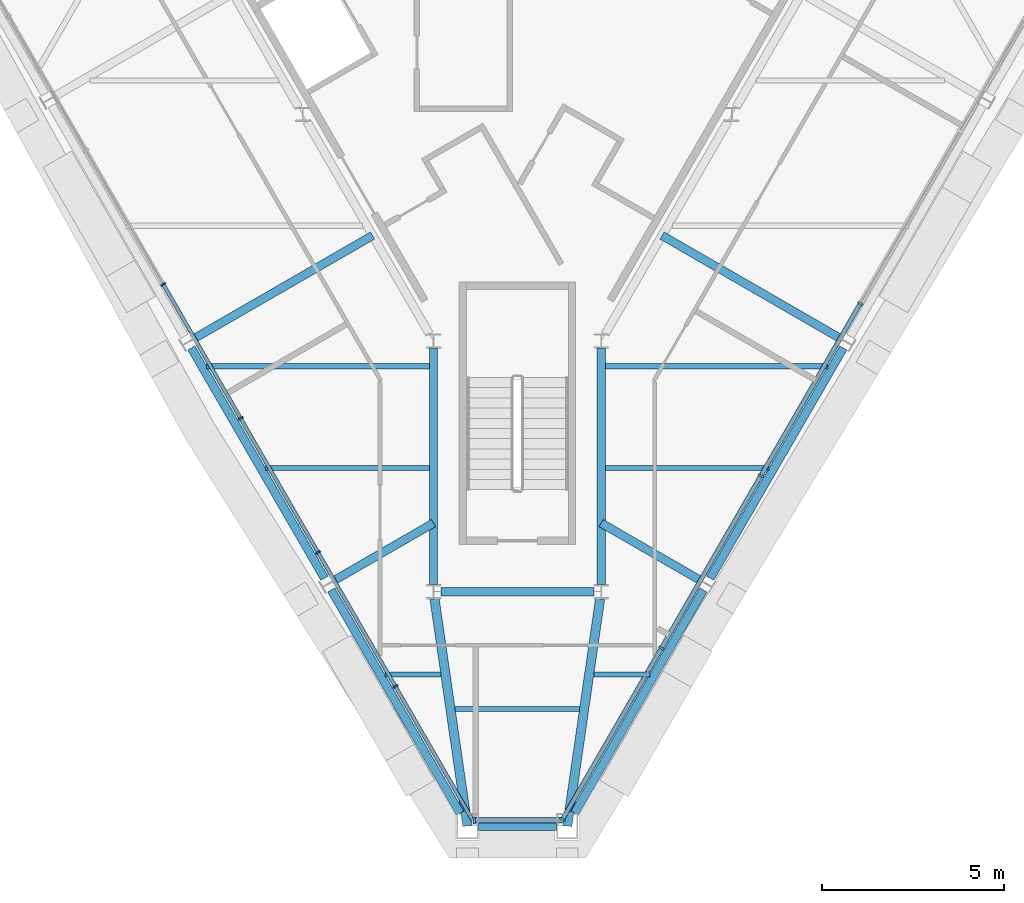
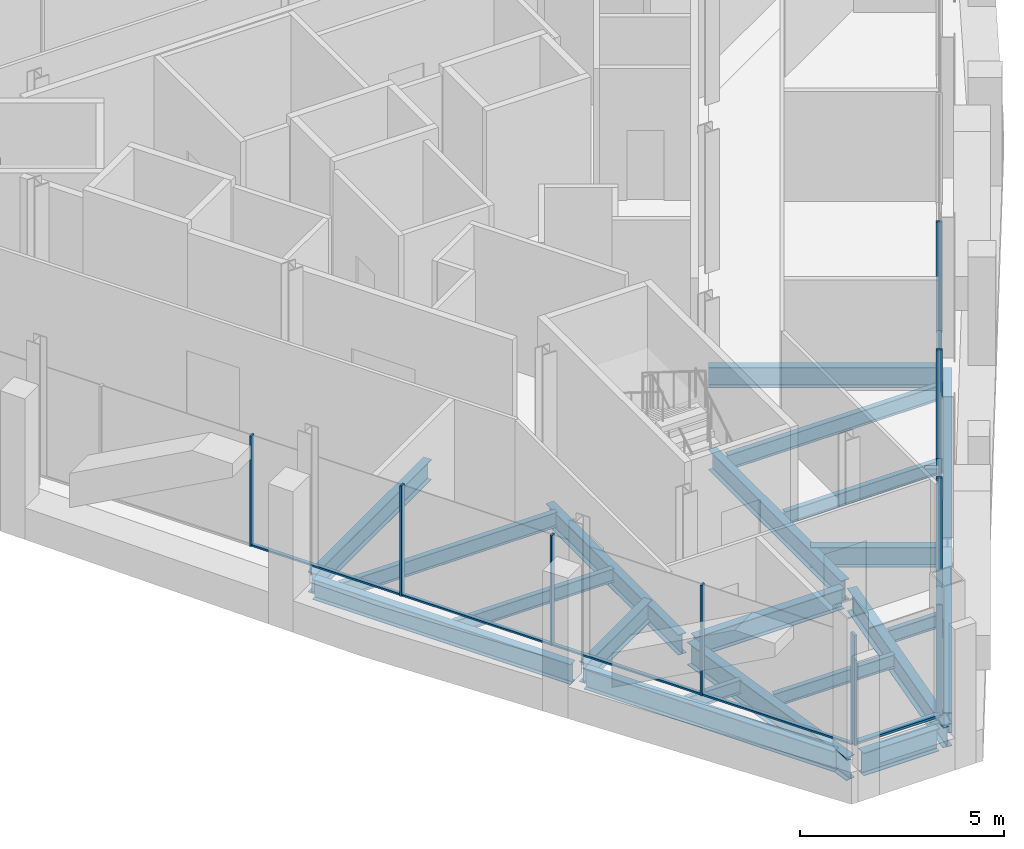
# One storey, part 3 of 13: 21 beams, 17 members, 3 elements without a shape of their own.
"""IFC4 building model written with IfcOpenShell, lengths in metres."""

from ifc_helpers import new_model, si_unit, direction, frame, origin, origin_2d, place, context, subcontext, project, spatial, rectangle, i_section, extrude, material, material_profile, profile_set, type_object, element, aggregate, save


model = new_model("IFC4")

# Units and contexts
model_context = context("Model", 3, precision=1e-05, world=origin(), true_north=direction((0.0, 1.0)))
body_context = subcontext(model_context, "Body", "Model", "MODEL_VIEW")
ifc_project = project(units=[si_unit("LENGTHUNIT", "METRE"), si_unit("AREAUNIT", "SQUARE_METRE"), si_unit("VOLUMEUNIT", "CUBIC_METRE"), si_unit("PLANEANGLEUNIT", "RADIAN"), si_unit("MASSUNIT", "GRAM", prefix="KILO")], contexts=[model_context])

# Site, building, storey
site_placement = place(None, origin())
site = spatial("IfcSite", under=ifc_project, at=site_placement, CompositionType="ELEMENT")
building_placement = place(site_placement, origin())
building = spatial("IfcBuilding", under=site, at=building_placement, Name="Verrane Prism Tower", CompositionType="ELEMENT")
storey_placement = place(building_placement, frame((0.0, 0.0, 321.0)))
storey = spatial("IfcBuildingStorey", under=building, at=storey_placement, Name="L81", CompositionType="ELEMENT", Elevation=321.0)

# Beams
ifc_material_1 = material(Name="Steel A992", Category="steel")
ifc_material_profile_1 = material_profile(ifc_material_1, i_section(OverallWidth=0.25390625, OverallDepth=0.683349609375, WebThickness=0.012451171875, FlangeThickness=0.01904296875, FilletRadius=0.01513671875, at=origin_2d()), Name="W27x94")
ifc_profile_set_1 = profile_set([ifc_material_profile_1], Name="Steel A992")
beam_type_1 = type_object("IfcBeamType", Name="Chamfer spandrel beam W27x94", PredefinedType="SPANDREL", material=ifc_profile_set_1)
beam_1_placement = place(storey_placement, frame((-1.070068359375, -22.929931640625, -0.501708984375), z_axis=(1.0, 0.0, 0.0), x_axis=(0.0, 1.0, 0.0)))
element("IfcBeam", 1, at=beam_1_placement, inside=storey, type_object=beam_type_1, Name="Chamfer spandrel beam L81", PredefinedType="SPANDREL", context=body_context, shape_type="SweptSolid", body=[
    extrude(i_section(OverallWidth=0.25390625, OverallDepth=0.683349609375, WebThickness=0.012451171875, FlangeThickness=0.01904296875, FilletRadius=0.01513671875, at=origin_2d()), origin(), (0.0, 0.0, 1.0), 2.14013671875),
])
ifc_material_2 = material(Name="Steel A992", Category="steel")
ifc_material_profile_2 = material_profile(ifc_material_2, i_section(OverallWidth=0.228271484375, OverallDepth=0.607177734375, WebThickness=0.01123046875, FlangeThickness=0.017333984375, FilletRadius=0.0126953125, at=origin_2d()), Name="W24x76")
ifc_profile_set_2 = profile_set([ifc_material_profile_2], Name="Steel A992")
beam_type_2 = type_object("IfcBeamType", Name="Core ring girder W24x76", PredefinedType="BEAM", material=ifc_profile_set_2)
beam_2_placement = place(storey_placement, frame((-2.300048828125, -9.81298828125, -0.553466796875), z_axis=(0.0, -1.0, 0.0), x_axis=(1.0, 0.0, 0.0)))
element("IfcBeam", 2, at=beam_2_placement, inside=storey, type_object=beam_type_2, Name="Core ring girder L81", PredefinedType="BEAM", context=body_context, shape_type="SweptSolid", body=[
    extrude(i_section(OverallWidth=0.228271484375, OverallDepth=0.607177734375, WebThickness=0.01123046875, FlangeThickness=0.017333984375, FilletRadius=0.0126953125, at=origin_2d()), origin(), (0.0, 0.0, 1.0), 6.493896484375),
])
beam_3_placement = place(storey_placement, frame((-2.1005859375, -16.5, -0.553466796875), z_axis=(1.0, 0.0, 0.0), x_axis=(0.0, 1.0, 0.0)))
element("IfcBeam", 3, at=beam_3_placement, inside=storey, type_object=beam_type_2, Name="Core ring girder L81", PredefinedType="BEAM", context=body_context, shape_type="SweptSolid", body=[
    extrude(i_section(OverallWidth=0.228271484375, OverallDepth=0.607177734375, WebThickness=0.01123046875, FlangeThickness=0.017333984375, FilletRadius=0.0126953125, at=origin_2d()), origin(), (0.0, 0.0, 1.0), 4.201171875),
])
beam_4_placement = place(storey_placement, frame((2.300048828125, -16.306884765625, -0.553466796875), z_axis=(0.0, 1.0, 0.0), x_axis=(-1.0, 0.0, 0.0)))
element("IfcBeam", 4, at=beam_4_placement, inside=storey, type_object=beam_type_2, Name="Core ring girder L81", PredefinedType="BEAM", context=body_context, shape_type="SweptSolid", body=[
    extrude(i_section(OverallWidth=0.228271484375, OverallDepth=0.607177734375, WebThickness=0.01123046875, FlangeThickness=0.017333984375, FilletRadius=0.0126953125, at=origin_2d()), origin(), (0.0, 0.0, 1.0), 6.493896484375),
])
ifc_material_3 = material(Name="Steel A992", Category="steel")
ifc_material_profile_3 = material_profile(ifc_material_3, i_section(OverallWidth=0.25390625, OverallDepth=0.683349609375, WebThickness=0.012451171875, FlangeThickness=0.01904296875, FilletRadius=0.01513671875, at=origin_2d()), Name="W27x94")
ifc_profile_set_3 = profile_set([ifc_material_profile_3], Name="Steel A992")
beam_type_3 = type_object("IfcBeamType", Name="Corner girder W27x94", PredefinedType="BEAM", material=ifc_profile_set_3)
beam_5_placement = place(storey_placement, frame((-1.37060546875, -22.926513671875, -0.5615234375), z_axis=(-0.143152302146, 0.989700671107, 0.0), x_axis=(-0.989700671107, -0.143152302146, 0.0)))
element("IfcBeam", 5, at=beam_5_placement, inside=storey, type_object=beam_type_3, Name="Corner girder L81", PredefinedType="BEAM", context=body_context, shape_type="SweptSolid", body=[
    extrude(i_section(OverallWidth=0.25390625, OverallDepth=0.683349609375, WebThickness=0.012451171875, FlangeThickness=0.01904296875, FilletRadius=0.01513671875, at=origin_2d()), origin(), (0.0, 0.0, 1.0), 6.29833984375),
])
beam_6_placement = place(storey_placement, frame((1.37060546875, -22.92626953125, -0.5615234375), z_axis=(0.143157794237, 0.989699876705, 0.0), x_axis=(-0.989699876705, 0.143157794237, 0.0)))
element("IfcBeam", 6, at=beam_6_placement, inside=storey, type_object=beam_type_3, Name="Corner girder L81", PredefinedType="BEAM", context=body_context, shape_type="SweptSolid", body=[
    extrude(i_section(OverallWidth=0.25390625, OverallDepth=0.683349609375, WebThickness=0.012451171875, FlangeThickness=0.01904296875, FilletRadius=0.01513671875, at=origin_2d()), origin(), (0.0, 0.0, 1.0), 6.298095703125),
])
ifc_material_4 = material(Name="Steel A992", Category="steel")
ifc_material_profile_4 = material_profile(ifc_material_4, i_section(OverallWidth=0.140380859375, OverallDepth=0.40380859375, WebThickness=0.007080078125, FlangeThickness=0.01123046875, FilletRadius=0.01025390625, at=origin_2d()), Name="W16x31")
ifc_profile_set_4 = profile_set([ifc_material_profile_4], Name="Steel A992")
beam_type_4 = type_object("IfcBeamType", Name="Floor beam W16x31", PredefinedType="BEAM", material=ifc_profile_set_4)
beam_7_placement = place(storey_placement, frame((-6.9130859375, -13.10009765625, -0.36181640625), z_axis=(1.0, 0.0, 0.0), x_axis=(0.0, 1.0, 0.0)))
element("IfcBeam", 7, at=beam_7_placement, inside=storey, type_object=beam_type_4, Name="Floor beam L81", PredefinedType="BEAM", context=body_context, shape_type="SweptSolid", body=[
    extrude(i_section(OverallWidth=0.140380859375, OverallDepth=0.40380859375, WebThickness=0.007080078125, FlangeThickness=0.01123046875, FilletRadius=0.01025390625, at=origin_2d()), origin(), (0.0, 0.0, 1.0), 4.4990234375),
])
for number, where, z_axis, x_axis, name in (
    (8, (-3.635009765625, -18.77490234375, -0.36181640625), (1.0, 0.0, 0.0), (0.0, 1.0, 0.0), "Floor beam L81"),
    (9, (2.099365234375, -18.77490234375, -0.36181640625), (1.0, 0.0, 0.0), (0.0, 1.0, 0.0), "Floor beam L81"),
):
    element("IfcBeam", number, at=place(storey_placement, frame(where, z_axis=z_axis, x_axis=x_axis)), inside=storey, type_object=beam_type_4, Name=name, PredefinedType="BEAM", context=body_context, shape_type="SweptSolid", body=[
        extrude(i_section(OverallWidth=0.140380859375, OverallDepth=0.40380859375, WebThickness=0.007080078125, FlangeThickness=0.01123046875, FilletRadius=0.01025390625, at=origin_2d()), origin(), (0.0, 0.0, 1.0), 1.53564453125),
    ])
beam_8_placement = place(storey_placement, frame((2.4140625, -13.10009765625, -0.36181640625), z_axis=(1.0, 0.0, 0.0), x_axis=(0.0, 1.0, 0.0)))
element("IfcBeam", 10, at=beam_8_placement, inside=storey, type_object=beam_type_4, Name="Floor beam L81", PredefinedType="BEAM", context=body_context, shape_type="SweptSolid", body=[
    extrude(i_section(OverallWidth=0.140380859375, OverallDepth=0.40380859375, WebThickness=0.007080078125, FlangeThickness=0.01123046875, FilletRadius=0.01025390625, at=origin_2d()), origin(), (0.0, 0.0, 1.0), 4.4990234375),
])
beam_9_placement = place(storey_placement, frame((-1.706787109375, -19.715087890625, -0.36181640625), z_axis=(1.0, 0.0, 0.0), x_axis=(0.0, 1.0, 0.0)))
element("IfcBeam", 11, at=beam_9_placement, inside=storey, type_object=beam_type_4, Name="Floor beam L81", PredefinedType="BEAM", context=body_context, shape_type="SweptSolid", body=[
    extrude(i_section(OverallWidth=0.140380859375, OverallDepth=0.40380859375, WebThickness=0.007080078125, FlangeThickness=0.01123046875, FilletRadius=0.01025390625, at=origin_2d()), origin(), (0.0, 0.0, 1.0), 3.41357421875),
])
ifc_material_5 = material(Name="Steel A992", Category="steel")
ifc_material_profile_5 = material_profile(ifc_material_5, i_section(OverallWidth=0.15234375, OverallDepth=0.449462890625, WebThickness=0.007568359375, FlangeThickness=0.0107421875, FilletRadius=0.01025390625, at=origin_2d()), Name="W18x35")
ifc_profile_set_5 = profile_set([ifc_material_profile_5], Name="Steel A992")
beam_type_5 = type_object("IfcBeamType", Name="Floor beam W18x35", PredefinedType="BEAM", material=ifc_profile_set_5)
for number, where, z_axis, x_axis, name in (
    (12, (-8.526611328125, -10.31005859375, -0.384765625), (1.0, 0.0, 0.0), (0.0, 1.0, 0.0), "Floor beam L81"),
    (13, (2.4140625, -10.31005859375, -0.384765625), (1.0, 0.0, 0.0), (0.0, 1.0, 0.0), "Floor beam L81"),
):
    element("IfcBeam", number, at=place(storey_placement, frame(where, z_axis=z_axis, x_axis=x_axis)), inside=storey, type_object=beam_type_5, Name=name, PredefinedType="BEAM", context=body_context, shape_type="SweptSolid", body=[
        extrude(i_section(OverallWidth=0.15234375, OverallDepth=0.449462890625, WebThickness=0.007568359375, FlangeThickness=0.0107421875, FilletRadius=0.01025390625, at=origin_2d()), origin(), (0.0, 0.0, 1.0), 6.112548828125),
    ])

# Curtain wall, members
ifc_material_6 = material(Name="Aluminium framed insulated glazing", Category="aluminium")
curtain_wall_type_1 = type_object("IfcCurtainWallType", Name="Curtain wall CW-C 4200 module", PredefinedType="NOTDEFINED", material=ifc_material_6)
curtain_wall_1_placement = place(storey_placement, origin())
curtain_wall_1 = element("IfcCurtainWall", 14, at=curtain_wall_1_placement, inside=storey, type_object=curtain_wall_type_1, Name="Glazed curtain wall south-west face L81", PredefinedType="NOTDEFINED")
ifc_material_7 = material(Name="Aluminium alloy 6063-T6", Category="aluminium")
ifc_material_profile_6 = material_profile(ifc_material_7, rectangle(XDim=0.139892578125, YDim=0.050048828125, at=origin_2d()), Name="Mullion 50x140 aluminium")
ifc_profile_set_6 = profile_set([ifc_material_profile_6], Name="Aluminium alloy 6063-T6")
member_type_1 = type_object("IfcMemberType", Name="Mullion 50x140 aluminium", PredefinedType="MULLION", material=ifc_profile_set_6)
member_1_placement = place(storey_placement, frame((-9.7177734375, -8.062744140625, 0.0), z_axis=(0.0, 0.0, 1.0), x_axis=(0.866025278644, 0.500000216749, 0.0)))
member_1 = element("IfcMember", 15, at=member_1_placement, type_object=member_type_1, Name="CW81.4 mullion 6", PredefinedType="MULLION", context=body_context, shape_type="SweptSolid", body=[
    extrude(rectangle(XDim=0.139892578125, YDim=0.050048828125, at=origin_2d()), origin(), (0.0, 0.0, 1.0), 3.296630859375),
])
member_2_placement = place(storey_placement, frame((-7.593994140625, -11.741455078125, 0.0), z_axis=(0.0, 0.0, 1.0), x_axis=(0.866025278644, 0.500000216749, 0.0)))
member_2 = element("IfcMember", 16, at=member_2_placement, type_object=member_type_1, Name="CW81.4 mullion 7", PredefinedType="MULLION", context=body_context, shape_type="SweptSolid", body=[
    extrude(rectangle(XDim=0.139892578125, YDim=0.050048828125, at=origin_2d()), origin(), (0.0, 0.0, 1.0), 3.296630859375),
])
member_3_placement = place(storey_placement, frame((-5.47021484375, -15.419921875, 0.0), z_axis=(0.0, 0.0, 1.0), x_axis=(0.866025278644, 0.500000216749, 0.0)))
member_3 = element("IfcMember", 17, at=member_3_placement, type_object=member_type_1, Name="CW81.4 mullion 8", PredefinedType="MULLION", context=body_context, shape_type="SweptSolid", body=[
    extrude(rectangle(XDim=0.139892578125, YDim=0.050048828125, at=origin_2d()), origin(), (0.0, 0.0, 1.0), 3.296630859375),
])
member_4_placement = place(storey_placement, frame((-3.346435546875, -19.098388671875, 0.0), z_axis=(0.0, 0.0, 1.0), x_axis=(0.866025278644, 0.500000216749, 0.0)))
member_4 = element("IfcMember", 18, at=member_4_placement, type_object=member_type_1, Name="CW81.4 mullion 9", PredefinedType="MULLION", context=body_context, shape_type="SweptSolid", body=[
    extrude(rectangle(XDim=0.139892578125, YDim=0.050048828125, at=origin_2d()), origin(), (0.0, 0.0, 1.0), 3.296630859375),
])

ifc_material_8 = material(Name="Aluminium framed insulated glazing", Category="aluminium")
curtain_wall_type_2 = type_object("IfcCurtainWallType", Name="Curtain wall CW-B 5600 module", PredefinedType="NOTDEFINED", material=ifc_material_8)
curtain_wall_2_placement = place(storey_placement, origin())
curtain_wall_2 = element("IfcCurtainWall", 19, at=curtain_wall_2_placement, inside=storey, type_object=curtain_wall_type_2, Name="Glazed curtain wall south-east face L81", PredefinedType="NOTDEFINED")
ifc_material_9 = material(Name="Aluminium alloy 6063-T6", Category="aluminium")
ifc_material_profile_7 = material_profile(ifc_material_9, rectangle(XDim=0.159912109375, YDim=0.06005859375, at=origin_2d()), Name="Mullion 60x160 aluminium")
ifc_profile_set_7 = profile_set([ifc_material_profile_7], Name="Aluminium alloy 6063-T6")
member_type_2 = type_object("IfcMemberType", Name="Mullion 60x160 aluminium", PredefinedType="MULLION", material=ifc_profile_set_7)
member_5_placement = place(storey_placement, frame((1.237548828125, -22.750732421875, 0.0), z_axis=(0.0, 0.0, 1.0), x_axis=(-0.866025278644, 0.500000216749, 0.0)))
member_5 = element("IfcMember", 20, at=member_5_placement, type_object=member_type_2, Name="CW81.6 mullion 1", PredefinedType="MULLION", context=body_context, shape_type="SweptSolid", body=[
    extrude(rectangle(XDim=0.159912109375, YDim=0.06005859375, at=origin_2d()), origin(), (0.0, 0.0, 1.0), 3.296630859375),
])
member_6_placement = place(storey_placement, frame((3.953125, -18.04736328125, 0.0), z_axis=(0.0, 0.0, 1.0), x_axis=(-0.866025278644, 0.500000216749, 0.0)))
member_6 = element("IfcMember", 21, at=member_6_placement, type_object=member_type_2, Name="CW81.6 mullion 2", PredefinedType="MULLION", context=body_context, shape_type="SweptSolid", body=[
    extrude(rectangle(XDim=0.159912109375, YDim=0.06005859375, at=origin_2d()), origin(), (0.0, 0.0, 1.0), 3.296630859375),
])
member_7_placement = place(storey_placement, frame((6.683837890625, -13.31787109375, 0.0), z_axis=(0.0, 0.0, 1.0), x_axis=(-0.866025278644, 0.500000216749, 0.0)))
member_7 = element("IfcMember", 22, at=member_7_placement, type_object=member_type_2, Name="CW81.6 mullion 3", PredefinedType="MULLION", context=body_context, shape_type="SweptSolid", body=[
    extrude(rectangle(XDim=0.159912109375, YDim=0.06005859375, at=origin_2d()), origin(), (0.0, 0.0, 1.0), 3.296630859375),
])
member_8_placement = place(storey_placement, frame((9.414306640625, -8.58837890625, 0.0), z_axis=(0.0, 0.0, 1.0), x_axis=(-0.866025278644, 0.500000216749, 0.0)))
member_8 = element("IfcMember", 23, at=member_8_placement, type_object=member_type_2, Name="CW81.6 mullion 4", PredefinedType="MULLION", context=body_context, shape_type="SweptSolid", body=[
    extrude(rectangle(XDim=0.159912109375, YDim=0.06005859375, at=origin_2d()), origin(), (0.0, 0.0, 1.0), 3.296630859375),
])

# Curtain wall, member
ifc_material_10 = material(Name="Aluminium framed insulated glazing", Category="aluminium")
curtain_wall_type_3 = type_object("IfcCurtainWallType", Name="Curtain wall CW-A 8400 module", PredefinedType="NOTDEFINED", material=ifc_material_10)
curtain_wall_3_placement = place(storey_placement, origin())
curtain_wall_3 = element("IfcCurtainWall", 24, at=curtain_wall_3_placement, inside=storey, type_object=curtain_wall_type_3, Name="Glazed curtain wall south corner L81", PredefinedType="NOTDEFINED")
ifc_material_11 = material(Name="Aluminium alloy 6063-T6", Category="aluminium")
ifc_material_profile_8 = material_profile(ifc_material_11, rectangle(XDim=0.199951171875, YDim=0.070068359375, at=origin_2d()), Name="Mullion 70x200 aluminium")
ifc_profile_set_8 = profile_set([ifc_material_profile_8], Name="Aluminium alloy 6063-T6")
member_type_3 = type_object("IfcMemberType", Name="Mullion 70x200 aluminium", PredefinedType="MULLION", material=ifc_profile_set_8)
member_9_placement = place(storey_placement, frame((-1.1875, -22.77685546875, 0.0), z_axis=(0.0, 0.0, 1.0), x_axis=(0.0, 1.0, 0.0)))
member_9 = element("IfcMember", 25, at=member_9_placement, type_object=member_type_3, Name="CW81.5 mullion 1", PredefinedType="MULLION", context=body_context, shape_type="SweptSolid", body=[
    extrude(rectangle(XDim=0.199951171875, YDim=0.070068359375, at=origin_2d()), origin(), (0.0, 0.0, 1.0), 3.296630859375),
])

# Beams
ifc_material_12 = material(Name="Steel A992", Category="steel")
ifc_material_profile_9 = material_profile(ifc_material_12, i_section(OverallWidth=0.228271484375, OverallDepth=0.607177734375, WebThickness=0.01123046875, FlangeThickness=0.017333984375, FilletRadius=0.0126953125, at=origin_2d()), Name="W24x76")
ifc_profile_set_9 = profile_set([ifc_material_profile_9], Name="Steel A992")
beam_type_6 = type_object("IfcBeamType", Name="Radial girder W24x76", PredefinedType="BEAM", material=ifc_profile_set_9)
beam_10_placement = place(storey_placement, frame((-8.880615234375, -9.557861328125, -0.5234375), z_axis=(0.866039985572, 0.499974742752, 0.0), x_axis=(-0.499974742752, 0.866039985572, 0.0)))
element("IfcBeam", 26, at=beam_10_placement, inside=storey, type_object=beam_type_6, Name="Radial girder L81", PredefinedType="BEAM", context=body_context, shape_type="SweptSolid", body=[
    extrude(i_section(OverallWidth=0.228271484375, OverallDepth=0.607177734375, WebThickness=0.01123046875, FlangeThickness=0.017333984375, FilletRadius=0.0126953125, at=origin_2d()), origin(), (0.0, 0.0, 1.0), 5.668212890625),
])
for number, where, z_axis, x_axis, name in (
    (27, (-5.04052734375, -16.197998046875, -0.5234375), (0.866017278078, 0.500014073873, 0.0), (-0.500014073873, 0.866017278078, 0.0), "Radial girder L81"),
    (28, (5.04052734375, -16.197998046875, -0.5234375), (-0.866017278078, 0.500014073873, 0.0), (-0.500014073873, -0.866017278078, 0.0), "Radial girder L81"),
):
    element("IfcBeam", number, at=place(storey_placement, frame(where, z_axis=z_axis, x_axis=x_axis)), inside=storey, type_object=beam_type_6, Name=name, PredefinedType="BEAM", context=body_context, shape_type="SweptSolid", body=[
        extrude(i_section(OverallWidth=0.228271484375, OverallDepth=0.607177734375, WebThickness=0.01123046875, FlangeThickness=0.017333984375, FilletRadius=0.0126953125, at=origin_2d()), origin(), (0.0, 0.0, 1.0), 3.16455078125),
    ])
beam_11_placement = place(storey_placement, frame((8.880615234375, -9.557861328125, -0.5234375), z_axis=(-0.866039985572, 0.499974742752, 0.0), x_axis=(-0.499974742752, -0.866039985572, 0.0)))
element("IfcBeam", 29, at=beam_11_placement, inside=storey, type_object=beam_type_6, Name="Radial girder L81", PredefinedType="BEAM", context=body_context, shape_type="SweptSolid", body=[
    extrude(i_section(OverallWidth=0.228271484375, OverallDepth=0.607177734375, WebThickness=0.01123046875, FlangeThickness=0.017333984375, FilletRadius=0.0126953125, at=origin_2d()), origin(), (0.0, 0.0, 1.0), 5.668212890625),
])
ifc_material_13 = material(Name="Steel A992", Category="steel")
ifc_material_profile_10 = material_profile(ifc_material_13, i_section(OverallWidth=0.228271484375, OverallDepth=0.607177734375, WebThickness=0.01123046875, FlangeThickness=0.017333984375, FilletRadius=0.0126953125, at=origin_2d()), Name="W24x76")
ifc_profile_set_10 = profile_set([ifc_material_profile_10], Name="Steel A992")
beam_type_7 = type_object("IfcBeamType", Name="Spandrel beam W24x76", PredefinedType="SPANDREL", material=ifc_profile_set_10)
beam_12_placement = place(storey_placement, frame((-8.946533203125, -9.8115234375, -0.46337890625), z_axis=(0.50061813753, -0.865668227658, 0.0), x_axis=(0.865668227658, 0.50061813753, 0.0)))
element("IfcBeam", 30, at=beam_12_placement, inside=storey, type_object=beam_type_7, Name="Spandrel beam L81", PredefinedType="SPANDREL", context=body_context, shape_type="SweptSolid", body=[
    extrude(i_section(OverallWidth=0.228271484375, OverallDepth=0.607177734375, WebThickness=0.01123046875, FlangeThickness=0.017333984375, FilletRadius=0.0126953125, at=origin_2d()), origin(), (0.0, 0.0, 1.0), 7.297119140625),
])
for number, where, z_axis, x_axis, name in (
    (31, (-5.106689453125, -16.45166015625, -0.46337890625), (0.49962087648, -0.866244180232, 0.0), (0.866244180232, 0.49962087648, 0.0), "Spandrel beam L81"),
    (32, (1.572021484375, -22.580078125, -0.46337890625), (0.49962087648, 0.866244180232, 0.0), (-0.866244180232, 0.49962087648, 0.0), "Spandrel beam L81"),
):
    element("IfcBeam", number, at=place(storey_placement, frame(where, z_axis=z_axis, x_axis=x_axis)), inside=storey, type_object=beam_type_7, Name=name, PredefinedType="SPANDREL", context=body_context, shape_type="SweptSolid", body=[
        extrude(i_section(OverallWidth=0.228271484375, OverallDepth=0.607177734375, WebThickness=0.01123046875, FlangeThickness=0.017333984375, FilletRadius=0.0126953125, at=origin_2d()), origin(), (0.0, 0.0, 1.0), 7.07470703125),
    ])
beam_13_placement = place(storey_placement, frame((5.29345703125, -16.12841796875, -0.46337890625), z_axis=(0.50061813753, 0.865668227658, 0.0), x_axis=(-0.865668227658, 0.50061813753, 0.0)))
element("IfcBeam", 33, at=beam_13_placement, inside=storey, type_object=beam_type_7, Name="Spandrel beam L81", PredefinedType="SPANDREL", context=body_context, shape_type="SweptSolid", body=[
    extrude(i_section(OverallWidth=0.228271484375, OverallDepth=0.607177734375, WebThickness=0.01123046875, FlangeThickness=0.017333984375, FilletRadius=0.0126953125, at=origin_2d()), origin(), (0.0, 0.0, 1.0), 7.297119140625),
])

# Member
ifc_material_14 = material(Name="Aluminium alloy 6063-T6", Category="aluminium")
ifc_material_profile_11 = material_profile(ifc_material_14, rectangle(XDim=0.10009765625, YDim=0.050048828125, at=origin_2d()), Name="Transom 50x100 aluminium")
ifc_profile_set_11 = profile_set([ifc_material_profile_11], Name="Aluminium alloy 6063-T6")
member_type_4 = type_object("IfcMemberType", Name="Transom 50x100 aluminium", PredefinedType="USERDEFINED", material=ifc_profile_set_11)
member_10_placement = place(storey_placement, frame((-9.705322265625, -8.08447265625, 0.02490234375), z_axis=(0.500011101102, -0.866018994465, 0.0), x_axis=(0.866018994465, 0.500011101102, 0.0)))
member_10 = element("IfcMember", 34, at=member_10_placement, type_object=member_type_4, Name="CW81.4 transom 6", ObjectType="TRANSOM", PredefinedType="USERDEFINED", context=body_context, shape_type="SweptSolid", body=[
    extrude(rectangle(XDim=0.10009765625, YDim=0.050048828125, at=origin_2d()), origin(), (0.0, 0.0, 1.0), 4.19775390625),
])

member_11_placement = place(storey_placement, frame((-7.58154296875, -11.762939453125, 0.02490234375), z_axis=(0.500011101102, -0.866018994465, 0.0), x_axis=(0.866018994465, 0.500011101102, 0.0)))
member_11 = element("IfcMember", 35, at=member_11_placement, type_object=member_type_4, Name="CW81.4 transom 7", ObjectType="TRANSOM", PredefinedType="USERDEFINED", context=body_context, shape_type="SweptSolid", body=[
    extrude(rectangle(XDim=0.10009765625, YDim=0.050048828125, at=origin_2d()), origin(), (0.0, 0.0, 1.0), 4.19775390625),
])

member_12_placement = place(storey_placement, frame((-5.457763671875, -15.44140625, 0.02490234375), z_axis=(0.500011101102, -0.866018994465, 0.0), x_axis=(0.866018994465, 0.500011101102, 0.0)))
member_12 = element("IfcMember", 36, at=member_12_placement, type_object=member_type_4, Name="CW81.4 transom 8", ObjectType="TRANSOM", PredefinedType="USERDEFINED", context=body_context, shape_type="SweptSolid", body=[
    extrude(rectangle(XDim=0.10009765625, YDim=0.050048828125, at=origin_2d()), origin(), (0.0, 0.0, 1.0), 4.19775390625),
])

member_13_placement = place(storey_placement, frame((-3.333984375, -19.119873046875, 0.02490234375), z_axis=(0.499994376692, -0.866028650378, 0.0), x_axis=(0.866028650378, 0.499994376692, 0.0)))
member_13 = element("IfcMember", 37, at=member_13_placement, type_object=member_type_4, Name="CW81.4 transom 9", ObjectType="TRANSOM", PredefinedType="USERDEFINED", context=body_context, shape_type="SweptSolid", body=[
    extrude(rectangle(XDim=0.10009765625, YDim=0.050048828125, at=origin_2d()), origin(), (0.0, 0.0, 1.0), 4.22265625),
])

aggregate(curtain_wall_1, [member_1, member_2, member_3, member_4, member_10, member_11, member_12, member_13])

ifc_material_15 = material(Name="Aluminium alloy 6063-T6", Category="aluminium")
ifc_material_profile_12 = material_profile(ifc_material_15, rectangle(XDim=0.1201171875, YDim=0.06005859375, at=origin_2d()), Name="Transom 60x120 aluminium")
ifc_profile_set_12 = profile_set([ifc_material_profile_12], Name="Aluminium alloy 6063-T6")
member_type_5 = type_object("IfcMemberType", Name="Transom 60x120 aluminium", PredefinedType="USERDEFINED", material=ifc_profile_set_12)
member_14_placement = place(storey_placement, frame((1.252685546875, -22.724853515625, 0.030029296875), z_axis=(0.499991317891, 0.866030416344, 0.0), x_axis=(-0.866030416344, 0.499991317891, 0.0)))
member_14 = element("IfcMember", 38, at=member_14_placement, type_object=member_type_5, Name="CW81.6 transom 1", ObjectType="TRANSOM", PredefinedType="USERDEFINED", context=body_context, shape_type="SweptSolid", body=[
    extrude(rectangle(XDim=0.1201171875, YDim=0.06005859375, at=origin_2d()), origin(), (0.0, 0.0, 1.0), 5.37109375),
])

member_15_placement = place(storey_placement, frame((3.96826171875, -18.021240234375, 0.030029296875), z_axis=(0.499984615007, 0.866034286132, 0.0), x_axis=(-0.866034286132, 0.499984615007, 0.0)))
member_15 = element("IfcMember", 39, at=member_15_placement, type_object=member_type_5, Name="CW81.6 transom 2", ObjectType="TRANSOM", PredefinedType="USERDEFINED", context=body_context, shape_type="SweptSolid", body=[
    extrude(rectangle(XDim=0.1201171875, YDim=0.06005859375, at=origin_2d()), origin(), (0.0, 0.0, 1.0), 5.401123046875),
])

member_16_placement = place(storey_placement, frame((6.69873046875, -13.291748046875, 0.030029296875), z_axis=(0.500018516412, 0.866014713065, 0.0), x_axis=(-0.866014713065, 0.500018516412, 0.0)))
member_16 = element("IfcMember", 40, at=member_16_placement, type_object=member_type_5, Name="CW81.6 transom 3", ObjectType="TRANSOM", PredefinedType="USERDEFINED", context=body_context, shape_type="SweptSolid", body=[
    extrude(rectangle(XDim=0.1201171875, YDim=0.06005859375, at=origin_2d()), origin(), (0.0, 0.0, 1.0), 5.401123046875),
])

aggregate(curtain_wall_2, [member_5, member_6, member_7, member_8, member_14, member_15, member_16])

ifc_material_16 = material(Name="Aluminium alloy 6063-T6", Category="aluminium")
ifc_material_profile_13 = material_profile(ifc_material_16, rectangle(XDim=0.14990234375, YDim=0.070068359375, at=origin_2d()), Name="Transom 70x150 aluminium")
ifc_profile_set_13 = profile_set([ifc_material_profile_13], Name="Aluminium alloy 6063-T6")
member_type_6 = type_object("IfcMemberType", Name="Transom 70x150 aluminium", PredefinedType="USERDEFINED", material=ifc_profile_set_13)
member_17_placement = place(storey_placement, frame((-1.152587890625, -22.77685546875, 0.034912109375), z_axis=(1.0, 0.0, 0.0), x_axis=(0.0, 1.0, 0.0)))
member_17 = element("IfcMember", 41, at=member_17_placement, type_object=member_type_6, Name="CW81.5 transom 1", ObjectType="TRANSOM", PredefinedType="USERDEFINED", context=body_context, shape_type="SweptSolid", body=[
    extrude(rectangle(XDim=0.14990234375, YDim=0.070068359375, at=origin_2d()), origin(), (0.0, 0.0, 1.0), 2.375244140625),
])

aggregate(curtain_wall_3, [member_9, member_17])

save(model, "model.ifc")
